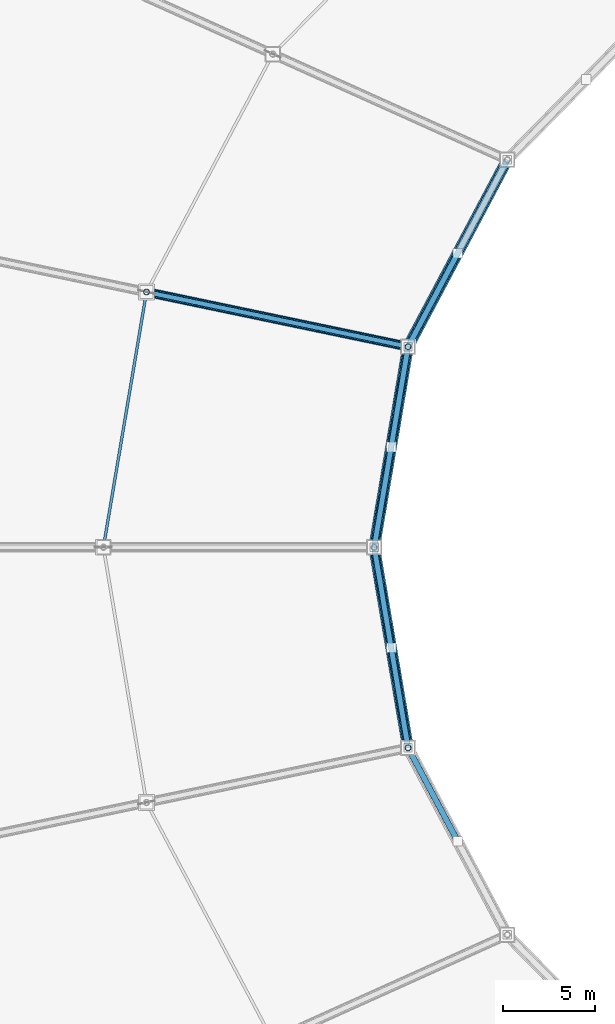
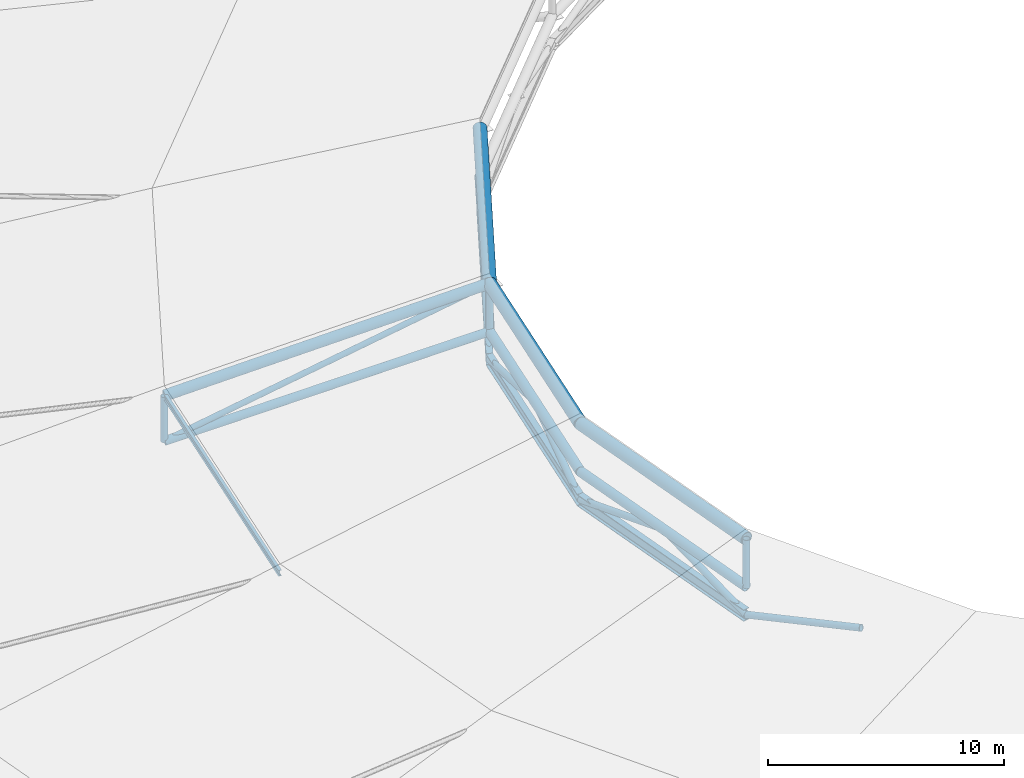
# One storey, part 25 of 115: 19 members, 3 beams.
"""IFC4 building model written with IfcOpenShell, lengths in metres."""

import ifcopenshell
import ifcopenshell.guid

model = None  # the IFC model being written
_history = None  # IfcOwnerHistory: only IFC2X3 demands one
_inside = {}  # id of a spatial element -> (the spatial element, [elements in it])
_under = {}  # id of a project, library or spatial element -> (it, [spatial elements below it])
_declared = {}  # id of a project -> (the project, [libraries it declares])
_typed = {}  # id of a type object -> (the type object, [elements of that type])
_made_of = {}  # id of a material, layer set ... -> (it, [elements and type objects made of it])


def new_model(schema):
    """Start an empty IFC model of exactly this schema.

    Asked for "IFC4X3", IfcOpenShell would pick the latest addendum, in which some entities
    have other attributes; the version numbers below select the first issue.
    IFC2X3 requires an IfcOwnerHistory on every rooted entity: one is made here for all.
    """
    global model, _history
    if schema == "IFC4X3":
        model = ifcopenshell.file(schema_version=(4, 3, 0, 0))
    else:
        model = ifcopenshell.file(schema=schema)
    _inside.clear()
    _under.clear()
    _declared.clear()
    _typed.clear()
    _made_of.clear()
    _history = None
    if model.schema == "IFC2X3":
        org = make("IfcOrganization", Name="unknown")
        user = make(
            "IfcPersonAndOrganization",
            ThePerson=make("IfcPerson", FamilyName="unknown"),
            TheOrganization=org,
        )
        app = make(
            "IfcApplication",
            ApplicationDeveloper=org,
            Version="unknown",
            ApplicationFullName="unknown",
            ApplicationIdentifier="unknown",
        )
        _history = make(
            "IfcOwnerHistory",
            OwningUser=user,
            OwningApplication=app,
            ChangeAction="ADDED",
            CreationDate=0,
        )
    return model


def make(cls, **values):
    """One entity of the class cls with the attributes given. An attribute that is None is left unset."""
    return model.create_entity(
        cls, **{name: value for name, value in values.items() if value is not None}
    )


def rooted(cls, **values):
    """An entity with a GlobalId (a new one), such as an element, a storey or a relation."""
    return make(cls, GlobalId=ifcopenshell.guid.new(), OwnerHistory=_history, **values)


def si_unit(unit_type, name, prefix=None):
    """IfcSIUnit, for example si_unit("LENGTHUNIT", "METRE", prefix="MILLI")."""
    return make("IfcSIUnit", UnitType=unit_type, Prefix=prefix, Name=name)


def assignment(units):
    """IfcUnitAssignment: the units of a project."""
    return None if units is None else make("IfcUnitAssignment", Units=units)


def point(xyz):
    """IfcCartesianPoint."""
    return None if xyz is None else make("IfcCartesianPoint", Coordinates=xyz)


def direction(xyz):
    """IfcDirection."""
    return None if xyz is None else make("IfcDirection", DirectionRatios=xyz)


def frame(location, z_axis=None, x_axis=None):
    """IfcAxis2Placement3D, a coordinate frame: its origin and axes. An axis left out is left unset."""
    return make(
        "IfcAxis2Placement3D",
        Location=point(location),
        Axis=direction(z_axis),
        RefDirection=direction(x_axis),
    )


def frame_2d(location, x_axis=None):
    """IfcAxis2Placement2D, a coordinate frame in the plane: its origin and x axis."""
    return make(
        "IfcAxis2Placement2D", Location=point(location), RefDirection=direction(x_axis)
    )


def origin():
    """The frame at (0, 0, 0) with its axes left unset."""
    return frame((0.0, 0.0, 0.0))


def origin_2d():
    """The frame at (0, 0) in the plane with its x axis left unset."""
    return frame_2d((0.0, 0.0))


def place(relative_to, where):
    """IfcLocalPlacement: puts the frame where relative to a parent placement (None: the world)."""
    return make(
        "IfcLocalPlacement", PlacementRelTo=relative_to, RelativePlacement=where
    )


def context(
    kind, dimensions, precision=None, world=None, true_north=None, identifier=None
):
    """IfcGeometricRepresentationContext, for example the 3D "Model" context."""
    return make(
        "IfcGeometricRepresentationContext",
        ContextIdentifier=identifier,
        ContextType=kind,
        CoordinateSpaceDimension=dimensions,
        Precision=precision,
        WorldCoordinateSystem=world,
        TrueNorth=true_north,
    )


def subcontext(parent, identifier, kind, view, scale=None):
    """IfcGeometricRepresentationSubContext, for example "Body" below "Model"."""
    return make(
        "IfcGeometricRepresentationSubContext",
        ContextIdentifier=identifier,
        ContextType=kind,
        ParentContext=parent,
        TargetScale=scale,
        TargetView=view,
    )


def project(units=None, contexts=None):
    """IfcProject with its units and contexts."""
    return rooted(
        "IfcProject",
        Name="project",
        RepresentationContexts=contexts,
        UnitsInContext=assignment(units),
    )


def spatial(cls, under=None, at=None, **own):
    """A site, building, storey or space (cls), placed at a placement, below another one or the project."""
    s = rooted(cls, ObjectPlacement=at, **own)
    if under is not None:
        _under.setdefault(under.id(), (under, []))[1].append(s)
    return s


def profile(cls, at=None, kind="AREA", **sizes):
    """A parametric profile (cls). Its sizes go by their IFC names, for example OverallWidth=200.0."""
    return make(cls, ProfileType=kind, Position=at, **sizes)


def hollow_circle(**sizes):
    """IfcCircleHollowProfileDef."""
    return profile("IfcCircleHollowProfileDef", **sizes)


def i_section(**sizes):
    """IfcIShapeProfileDef."""
    return profile("IfcIShapeProfileDef", **sizes)


def extrude(swept, where, along, depth):
    """IfcExtrudedAreaSolid: the profile swept, set in the frame where, extruded along a direction by depth."""
    return make(
        "IfcExtrudedAreaSolid",
        SweptArea=swept,
        Position=where,
        ExtrudedDirection=direction(along),
        Depth=depth,
    )


def shape(context_of_items, identifier, shape_type, items):
    """IfcShapeRepresentation: the items that make up one representation, for example the "Body"."""
    return make(
        "IfcShapeRepresentation",
        ContextOfItems=context_of_items,
        RepresentationIdentifier=identifier,
        RepresentationType=shape_type,
        Items=items,
    )


def material(Name=None, Category=None):
    """IfcMaterial."""
    return make("IfcMaterial", Name=Name, Category=Category)


def material_profile(
    of_material, cross_section, Name=None, Category=None, Priority=None
):
    """IfcMaterialProfile: a cross section and its material."""
    return make(
        "IfcMaterialProfile",
        Name=Name,
        Material=of_material,
        Profile=cross_section,
        Priority=Priority,
        Category=Category,
    )


def profile_set(profiles, Name=None, composite=None):
    """IfcMaterialProfileSet."""
    return make(
        "IfcMaterialProfileSet",
        Name=Name,
        MaterialProfiles=profiles,
        CompositeProfile=composite,
    )


def made_of(thing, what):
    """Note that an element or type object is made of a material, layer set ...; save() writes the relation."""
    if what is not None:
        _made_of.setdefault(what.id(), (what, []))[1].append(thing)
    return thing


def type_object(cls, material=None, **own):
    """A type object (cls), such as IfcWallType, which elements share."""
    return made_of(rooted(cls, **own), material)


def element(
    cls,
    number,
    at=None,
    inside=None,
    cuts=None,
    type_object=None,
    material=None,
    context=None,
    identifier="Body",
    shape_type=None,
    held_by="IfcProductDefinitionShape",
    body=None,
    shapes=None,
    **own,
):
    """One element of the class cls, such as IfcWall. Its Tag is "e" and its number.

    at: its placement. inside: the storey or other place that contains it. cuts: it is an
    opening in that element (IfcRelVoidsElement). A single representation is given by context,
    identifier, shape_type and body (its items); several are given by shapes. held_by: the class
    of the entity that holds the representations. save() writes the other relations.
    """
    e = rooted(cls, Tag="e%d" % number, ObjectPlacement=at, **own)
    if body is not None:
        shapes = [shape(context, identifier, shape_type, body)]
    if shapes is not None:
        e.Representation = make(held_by, Representations=shapes)
    if inside is not None:
        _inside.setdefault(inside.id(), (inside, []))[1].append(e)
    if cuts is not None:
        rooted(
            "IfcRelVoidsElement", RelatingBuildingElement=cuts, RelatedOpeningElement=e
        )
    if type_object is not None:
        _typed.setdefault(type_object.id(), (type_object, []))[1].append(e)
    return made_of(e, material)


def aggregate(whole, parts):
    """IfcRelAggregates: a whole, such as a stair, and the parts it consists of."""
    return rooted("IfcRelAggregates", RelatingObject=whole, RelatedObjects=parts)


def save(model, path):
    """Write the relations noted so far, then the file.

    IfcRelAggregates (storeys below a building ...), IfcRelContainedInSpatialStructure (elements
    in a storey), IfcRelDefinesByType, IfcRelAssociatesMaterial and IfcRelDeclares: one each for
    every whole, place, type object, material and project.
    """
    for whole, parts in _under.values():
        aggregate(whole, parts)
    for where, things in _inside.values():
        rooted(
            "IfcRelContainedInSpatialStructure",
            RelatedElements=things,
            RelatingStructure=where,
        )
    for kind, things in _typed.values():
        rooted("IfcRelDefinesByType", RelatedObjects=things, RelatingType=kind)
    for what, things in _made_of.values():
        rooted("IfcRelAssociatesMaterial", RelatedObjects=things, RelatingMaterial=what)
    for by, libraries in _declared.values():
        rooted("IfcRelDeclares", RelatingContext=by, RelatedDefinitions=libraries)
    model.write(path)


model = new_model("IFC4")

# Units and contexts
model_context = context("Model", 3, precision=1e-05, world=origin(), true_north=direction((0.0, 1.0)))
body_context = subcontext(model_context, "Body", "Model", "MODEL_VIEW")
ifc_project = project(units=[si_unit("LENGTHUNIT", "METRE"), si_unit("AREAUNIT", "SQUARE_METRE"), si_unit("VOLUMEUNIT", "CUBIC_METRE"), si_unit("PLANEANGLEUNIT", "RADIAN"), si_unit("MASSUNIT", "GRAM", prefix="KILO")], contexts=[model_context])

# Site, building, storey
site_placement = place(None, origin())
site = spatial("IfcSite", under=ifc_project, at=site_placement, CompositionType="ELEMENT")
building_placement = place(site_placement, origin())
building = spatial("IfcBuilding", under=site, at=building_placement, Name="Zlatoyarsky Gate Stadium", CompositionType="ELEMENT")
storey_placement = place(building_placement, frame((0.0, 0.0, 31.800048828125)))
storey = spatial("IfcBuildingStorey", under=building, at=storey_placement, Name="RF", CompositionType="ELEMENT", Elevation=31.800048828125)

# Members
ifc_material = material(Name="Steel S355", Category="steel")
ifc_material_profile_1 = material_profile(ifc_material, hollow_circle(Radius=0.228515625, WallThickness=0.02490234375, at=origin_2d()), Name="CHS 457X25")
ifc_profile_set_1 = profile_set([ifc_material_profile_1], Name="Steel S355")
member_type_1 = type_object("IfcMemberType", Name="STEEL ARCH BOTTOM CHORD CHS 457X25", PredefinedType="CHORD", material=ifc_profile_set_1)
member_1_placement = place(storey_placement, frame((64.2216796875, 101.0673828125, 6.449951171875), z_axis=(-0.468977321353, -0.883210208306, 0.0), x_axis=(0.883210208306, -0.468977321353, 0.0)))
element("IfcMember", 1, at=member_1_placement, inside=storey, type_object=member_type_1, Name="Inner tension ring bottom chord 10", PredefinedType="CHORD", context=body_context, shape_type="SweptSolid", body=[
    extrude(hollow_circle(Radius=0.228515625, WallThickness=0.02490234375, at=origin_2d()), origin(), (0.0, 0.0, 1.0), 11.505859375),
])
for number, where, z_axis, x_axis, name in (
    (2, (58.82568359375, 90.9052734375, 6.449951171875), (-0.166424784054, -0.986054152292, 0.0), (0.986054152292, -0.166424784054, 0.0), "Inner tension ring bottom chord 11"),
    (3, (56.985107421875, 80.0, 6.449951171875), (0.166424784054, -0.986054152292, 0.0), (0.986054152292, 0.166424784054, 0.0), "Inner tension ring bottom chord 12"),
):
    element("IfcMember", number, at=place(storey_placement, frame(where, z_axis=z_axis, x_axis=x_axis)), inside=storey, type_object=member_type_1, Name=name, PredefinedType="CHORD", context=body_context, shape_type="SweptSolid", body=[
        extrude(hollow_circle(Radius=0.228515625, WallThickness=0.02490234375, at=origin_2d()), origin(), (0.0, 0.0, 1.0), 11.0595703125),
    ])
ifc_material_profile_2 = material_profile(ifc_material, hollow_circle(Radius=0.203125, WallThickness=0.02001953125, at=origin_2d()), Name="CHS 406.4X20")
ifc_profile_set_2 = profile_set([ifc_material_profile_2], Name="Steel S355")
member_type_2 = type_object("IfcMemberType", Name="STEEL ARCH INNER CHORD CHS 406.4X20", PredefinedType="CHORD", material=ifc_profile_set_2)
member_2_placement = place(storey_placement, frame((44.603271484375, 93.8779296875, 3.949951171875), z_axis=(0.964672188905, -0.201628161911, 0.169569019215), x_axis=(0.204590984252, 0.978847551544, 0.0)))
element("IfcMember", 4, at=member_2_placement, inside=storey, type_object=member_type_2, Name="Radial truss R12 bottom chord 3", PredefinedType="CHORD", context=body_context, shape_type="SweptSolid", body=[
    extrude(hollow_circle(Radius=0.203125, WallThickness=0.02001953125, at=origin_2d()), origin(), (0.0, 0.0, 1.0), 14.7431640625),
])
ifc_material_profile_3 = material_profile(ifc_material, hollow_circle(Radius=0.25390625, WallThickness=0.02490234375, at=origin_2d()), Name="CHS 508X25")
ifc_profile_set_3 = profile_set([ifc_material_profile_3], Name="Steel S355")
member_type_3 = type_object("IfcMemberType", Name="STEEL ARCH TOP CHORD CHS 508X25", PredefinedType="CHORD", material=ifc_profile_set_3)
member_3_placement = place(storey_placement, frame((44.603271484375, 93.8779296875, 6.300048828125), z_axis=(0.962963687907, -0.201271064526, 0.179418210772), x_axis=(0.204590984252, 0.978847551544, 0.0)))
element("IfcMember", 5, at=member_3_placement, inside=storey, type_object=member_type_3, Name="Radial truss R12 top chord 3", PredefinedType="CHORD", context=body_context, shape_type="SweptSolid", body=[
    extrude(hollow_circle(Radius=0.25390625, WallThickness=0.02490234375, at=origin_2d()), origin(), (0.0, 0.0, 1.0), 14.76953125),
])
ifc_material_profile_4 = material_profile(ifc_material, i_section(OverallWidth=0.14990234375, OverallDepth=0.300048828125, WebThickness=0.007080078125, FlangeThickness=0.0107421875, FilletRadius=0.014892578125, at=origin_2d()), Name="IPE 300")
ifc_profile_set_4 = profile_set([ifc_material_profile_4], Name="Steel S355")
member_type_4 = type_object("IfcMemberType", Name="STEEL BOWL ROOF PURLIN IPE 300", PredefinedType="PURLIN", material=ifc_profile_set_4)
member_4_placement = place(storey_placement, frame((44.603271484375, 93.8779296875, 6.329833984375), z_axis=(-0.166423982052, -0.986054287653, 0.0), x_axis=(0.986054287653, -0.166423982052, 0.0)))
element("IfcMember", 6, at=member_4_placement, inside=storey, type_object=member_type_4, Name="Stadium roof purlin 11.2", PredefinedType="PURLIN", context=body_context, shape_type="SweptSolid", body=[
    extrude(i_section(OverallWidth=0.14990234375, OverallDepth=0.300048828125, WebThickness=0.007080078125, FlangeThickness=0.0107421875, FilletRadius=0.014892578125, at=origin_2d()), origin(), (0.0, 0.0, 1.0), 14.07421875),
])

# Beams
ifc_material_profile_5 = material_profile(ifc_material, i_section(OverallWidth=0.300048828125, OverallDepth=0.60009765625, WebThickness=0.015380859375, FlangeThickness=0.030029296875, FilletRadius=0.027099609375, at=origin_2d()), Name="HEB 600")
ifc_profile_set_5 = profile_set([ifc_material_profile_5], Name="Steel S355")
beam_type = type_object("IfcBeamType", Name="STEEL INNER CATWALK RING BEAM HEB 600", PredefinedType="USERDEFINED", material=ifc_profile_set_5)
beam_placement = place(storey_placement, frame((64.2216796875, 101.0673828125, 5.0), z_axis=(-0.468977321353, -0.883210208306, 0.0), x_axis=(0.883210208306, -0.468977321353, 0.0)))
element("IfcBeam", 7, at=beam_placement, inside=storey, type_object=beam_type, Name="Inner lighting catwalk ring beam 10", ObjectType="RING BEAM", PredefinedType="USERDEFINED", context=body_context, shape_type="SweptSolid", body=[
    extrude(i_section(OverallWidth=0.300048828125, OverallDepth=0.60009765625, WebThickness=0.015380859375, FlangeThickness=0.030029296875, FilletRadius=0.027099609375, at=origin_2d()), origin(), (0.0, 0.0, 1.0), 11.505859375),
])
for number, where, z_axis, x_axis, name in (
    (8, (58.82568359375, 90.9052734375, 5.0), (-0.166424784054, -0.986054152292, 0.0), (0.986054152292, -0.166424784054, 0.0), "Inner lighting catwalk ring beam 11"),
    (9, (56.985107421875, 80.0, 5.0), (0.166424784054, -0.986054152292, 0.0), (0.986054152292, 0.166424784054, 0.0), "Inner lighting catwalk ring beam 12"),
):
    element("IfcBeam", number, at=place(storey_placement, frame(where, z_axis=z_axis, x_axis=x_axis)), inside=storey, type_object=beam_type, Name=name, ObjectType="RING BEAM", PredefinedType="USERDEFINED", context=body_context, shape_type="SweptSolid", body=[
        extrude(i_section(OverallWidth=0.300048828125, OverallDepth=0.60009765625, WebThickness=0.015380859375, FlangeThickness=0.030029296875, FilletRadius=0.027099609375, at=origin_2d()), origin(), (0.0, 0.0, 1.0), 11.0595703125),
    ])

# Members
ifc_material_profile_6 = material_profile(ifc_material, hollow_circle(Radius=0.136474609375, WallThickness=0.01611328125, at=origin_2d()), Name="CHS 273X16")
ifc_profile_set_6 = profile_set([ifc_material_profile_6], Name="Steel S355")
member_type_5 = type_object("IfcMemberType", Name="STEEL ROOF TRUSS DIAGONAL CHS 273X16", PredefinedType="BRACE", material=ifc_profile_set_6)
member_5_placement = place(storey_placement, frame((44.603271484375, 93.8779296875, 3.949951171875), z_axis=(0.925577253601, -0.193456847307, 0.325393908742), x_axis=(0.204590984252, 0.978847551544, 0.0)))
element("IfcMember", 10, at=member_5_placement, inside=storey, type_object=member_type_5, Name="Radial truss R12 web diagonal 3", PredefinedType="BRACE", context=body_context, shape_type="SweptSolid", body=[
    extrude(hollow_circle(Radius=0.136474609375, WallThickness=0.01611328125, at=origin_2d()), origin(), (0.0, 0.0, 1.0), 15.365966796875),
])
ifc_material_profile_7 = material_profile(ifc_material, hollow_circle(Radius=0.304931640625, WallThickness=0.030029296875, at=origin_2d()), Name="CHS 610X30")
ifc_profile_set_7 = profile_set([ifc_material_profile_7], Name="Steel S355")
member_type_6 = type_object("IfcMemberType", Name="STEEL TENSION RING CHORD CHS 610X30", PredefinedType="CHORD", material=ifc_profile_set_7)
member_6_placement = place(storey_placement, frame((64.2216796875, 101.0673828125, 8.949951171875), z_axis=(-0.468977321353, -0.883210208306, 0.0), x_axis=(0.883210208306, -0.468977321353, 0.0)))
element("IfcMember", 11, at=member_6_placement, inside=storey, type_object=member_type_6, Name="Inner tension ring top chord 10", PredefinedType="CHORD", context=body_context, shape_type="SweptSolid", body=[
    extrude(hollow_circle(Radius=0.304931640625, WallThickness=0.030029296875, at=origin_2d()), origin(), (0.0, 0.0, 1.0), 11.505859375),
])
for number, where, z_axis, x_axis, name in (
    (12, (58.82568359375, 90.9052734375, 8.949951171875), (-0.166424784054, -0.986054152292, 0.0), (0.986054152292, -0.166424784054, 0.0), "Inner tension ring top chord 11"),
    (13, (56.985107421875, 80.0, 8.949951171875), (0.166424784054, -0.986054152292, 0.0), (0.986054152292, 0.166424784054, 0.0), "Inner tension ring top chord 12"),
):
    element("IfcMember", number, at=place(storey_placement, frame(where, z_axis=z_axis, x_axis=x_axis)), inside=storey, type_object=member_type_6, Name=name, PredefinedType="CHORD", context=body_context, shape_type="SweptSolid", body=[
        extrude(hollow_circle(Radius=0.304931640625, WallThickness=0.030029296875, at=origin_2d()), origin(), (0.0, 0.0, 1.0), 11.0595703125),
    ])
ifc_material_profile_8 = material_profile(ifc_material, hollow_circle(Radius=0.161865234375, WallThickness=0.01611328125, at=origin_2d()), Name="CHS 323.9X16")
ifc_profile_set_8 = profile_set([ifc_material_profile_8], Name="Steel S355")
member_type_7 = type_object("IfcMemberType", Name="STEEL TRUSS WEB STRUT CHS 323.9X16", PredefinedType="STRUT", material=ifc_profile_set_8)
member_7_placement = place(storey_placement, frame((58.82568359375, 90.9052734375, 5.0), z_axis=(0.454756078435, 0.856427789738, 0.244393842171), x_axis=(-0.883210208306, 0.468977321353, 0.0)))
element("IfcMember", 14, at=member_7_placement, inside=storey, type_object=member_type_7, Name="Catwalk V-hanger strut 10B", PredefinedType="STRUT", context=body_context, shape_type="SweptSolid", body=[
    extrude(hollow_circle(Radius=0.161865234375, WallThickness=0.01611328125, at=origin_2d()), origin(), (0.0, 0.0, 1.0), 5.932861328125),
])
member_8_placement = place(storey_placement, frame((44.603271484375, 93.8779296875, 3.949951171875), z_axis=(0.0, 0.0, 1.0), x_axis=(1.0, 0.0, 0.0)))
element("IfcMember", 15, at=member_8_placement, inside=storey, type_object=member_type_7, Name="Radial truss R12 web strut 2", PredefinedType="STRUT", context=body_context, shape_type="SweptSolid", body=[
    extrude(hollow_circle(Radius=0.161865234375, WallThickness=0.01611328125, at=origin_2d()), origin(), (0.0, 0.0, 1.0), 2.35009765625),
])
member_9_placement = place(storey_placement, frame((58.82568359375, 90.9052734375, 6.449951171875), z_axis=(0.0, 0.0, 1.0), x_axis=(1.0, 0.0, 0.0)))
element("IfcMember", 16, at=member_9_placement, inside=storey, type_object=member_type_7, Name="Radial truss R12 web strut 3", PredefinedType="STRUT", context=body_context, shape_type="SweptSolid", body=[
    extrude(hollow_circle(Radius=0.161865234375, WallThickness=0.01611328125, at=origin_2d()), origin(), (0.0, 0.0, 1.0), 2.5),
])
member_10_placement = place(storey_placement, frame((58.82568359375, 90.9052734375, 5.0), z_axis=(-0.160961903219, -0.953813517242, 0.25363564426), x_axis=(0.986057774694, -0.166403320176, 0.0)))
element("IfcMember", 17, at=member_10_placement, inside=storey, type_object=member_type_7, Name="Catwalk V-hanger strut 11A", PredefinedType="STRUT", context=body_context, shape_type="SweptSolid", body=[
    extrude(hollow_circle(Radius=0.161865234375, WallThickness=0.01611328125, at=origin_2d()), origin(), (0.0, 0.0, 1.0), 5.716552734375),
])
for number, where, z_axis, x_axis, name in (
    (18, (56.985107421875, 80.0, 5.0), (0.161003503104, 0.953806959766, 0.253633900513), (-0.98605052945, 0.166446247695, 0.0), "Catwalk V-hanger strut 11B"),
    (19, (56.985107421875, 80.0, 5.0), (0.161003503104, -0.953806959766, 0.253633900513), (0.98605052945, 0.166446247695, 0.0), "Catwalk V-hanger strut 12A"),
):
    element("IfcMember", number, at=place(storey_placement, frame(where, z_axis=z_axis, x_axis=x_axis)), inside=storey, type_object=member_type_7, Name=name, PredefinedType="STRUT", context=body_context, shape_type="SweptSolid", body=[
        extrude(hollow_circle(Radius=0.161865234375, WallThickness=0.01611328125, at=origin_2d()), origin(), (0.0, 0.0, 1.0), 5.716796875),
    ])
member_11_placement = place(storey_placement, frame((58.82568359375, 69.0947265625, 5.0), z_axis=(-0.160961903219, 0.953813517242, 0.25363564426), x_axis=(-0.986057774694, -0.166403320176, 0.0)))
element("IfcMember", 20, at=member_11_placement, inside=storey, type_object=member_type_7, Name="Catwalk V-hanger strut 12B", PredefinedType="STRUT", context=body_context, shape_type="SweptSolid", body=[
    extrude(hollow_circle(Radius=0.161865234375, WallThickness=0.01611328125, at=origin_2d()), origin(), (0.0, 0.0, 1.0), 5.716552734375),
])
member_12_placement = place(storey_placement, frame((58.82568359375, 69.0947265625, 6.449951171875), z_axis=(0.0, 0.0, 1.0), x_axis=(1.0, 0.0, 0.0)))
element("IfcMember", 21, at=member_12_placement, inside=storey, type_object=member_type_7, Name="Radial truss R14 web strut 3", PredefinedType="STRUT", context=body_context, shape_type="SweptSolid", body=[
    extrude(hollow_circle(Radius=0.161865234375, WallThickness=0.01611328125, at=origin_2d()), origin(), (0.0, 0.0, 1.0), 2.5),
])
member_13_placement = place(storey_placement, frame((58.82568359375, 69.0947265625, 5.0), z_axis=(0.454756078435, -0.856427789738, 0.244393842171), x_axis=(0.883210208306, 0.468977321353, 0.0)))
element("IfcMember", 22, at=member_13_placement, inside=storey, type_object=member_type_7, Name="Catwalk V-hanger strut 13A", PredefinedType="STRUT", context=body_context, shape_type="SweptSolid", body=[
    extrude(hollow_circle(Radius=0.161865234375, WallThickness=0.01611328125, at=origin_2d()), origin(), (0.0, 0.0, 1.0), 5.932861328125),
])

save(model, "model.ifc")
